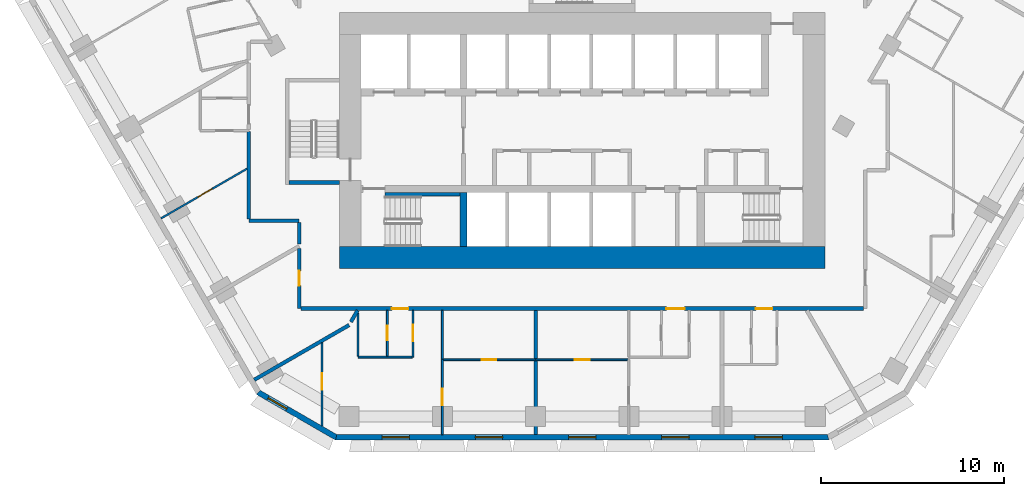
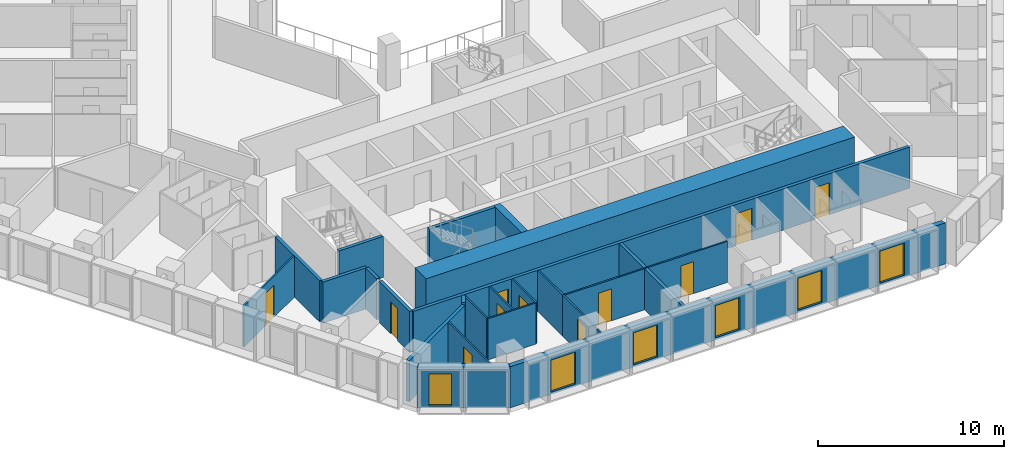
# One storey, part 3 of 16: 24 walls, 11 doors, 6 windows, 17 openings.
"""IFC4 building model written with IfcOpenShell, lengths in metres."""

import ifcopenshell
import ifcopenshell.guid

model = None  # the IFC model being written
_history = None  # IfcOwnerHistory: only IFC2X3 demands one
_inside = {}  # id of a spatial element -> (the spatial element, [elements in it])
_under = {}  # id of a project, library or spatial element -> (it, [spatial elements below it])
_declared = {}  # id of a project -> (the project, [libraries it declares])
_typed = {}  # id of a type object -> (the type object, [elements of that type])
_made_of = {}  # id of a material, layer set ... -> (it, [elements and type objects made of it])


def new_model(schema):
    """Start an empty IFC model of exactly this schema.

    Asked for "IFC4X3", IfcOpenShell would pick the latest addendum, in which some entities
    have other attributes; the version numbers below select the first issue.
    IFC2X3 requires an IfcOwnerHistory on every rooted entity: one is made here for all.
    """
    global model, _history
    if schema == "IFC4X3":
        model = ifcopenshell.file(schema_version=(4, 3, 0, 0))
    else:
        model = ifcopenshell.file(schema=schema)
    _inside.clear()
    _under.clear()
    _declared.clear()
    _typed.clear()
    _made_of.clear()
    _history = None
    if model.schema == "IFC2X3":
        org = make("IfcOrganization", Name="unknown")
        user = make(
            "IfcPersonAndOrganization",
            ThePerson=make("IfcPerson", FamilyName="unknown"),
            TheOrganization=org,
        )
        app = make(
            "IfcApplication",
            ApplicationDeveloper=org,
            Version="unknown",
            ApplicationFullName="unknown",
            ApplicationIdentifier="unknown",
        )
        _history = make(
            "IfcOwnerHistory",
            OwningUser=user,
            OwningApplication=app,
            ChangeAction="ADDED",
            CreationDate=0,
        )
    return model


def make(cls, **values):
    """One entity of the class cls with the attributes given. An attribute that is None is left unset."""
    return model.create_entity(
        cls, **{name: value for name, value in values.items() if value is not None}
    )


def rooted(cls, **values):
    """An entity with a GlobalId (a new one), such as an element, a storey or a relation."""
    return make(cls, GlobalId=ifcopenshell.guid.new(), OwnerHistory=_history, **values)


def si_unit(unit_type, name, prefix=None):
    """IfcSIUnit, for example si_unit("LENGTHUNIT", "METRE", prefix="MILLI")."""
    return make("IfcSIUnit", UnitType=unit_type, Prefix=prefix, Name=name)


def assignment(units):
    """IfcUnitAssignment: the units of a project."""
    return None if units is None else make("IfcUnitAssignment", Units=units)


def point(xyz):
    """IfcCartesianPoint."""
    return None if xyz is None else make("IfcCartesianPoint", Coordinates=xyz)


def direction(xyz):
    """IfcDirection."""
    return None if xyz is None else make("IfcDirection", DirectionRatios=xyz)


def frame(location, z_axis=None, x_axis=None):
    """IfcAxis2Placement3D, a coordinate frame: its origin and axes. An axis left out is left unset."""
    return make(
        "IfcAxis2Placement3D",
        Location=point(location),
        Axis=direction(z_axis),
        RefDirection=direction(x_axis),
    )


def frame_2d(location, x_axis=None):
    """IfcAxis2Placement2D, a coordinate frame in the plane: its origin and x axis."""
    return make(
        "IfcAxis2Placement2D", Location=point(location), RefDirection=direction(x_axis)
    )


def origin():
    """The frame at (0, 0, 0) with its axes left unset."""
    return frame((0.0, 0.0, 0.0))


def place(relative_to, where):
    """IfcLocalPlacement: puts the frame where relative to a parent placement (None: the world)."""
    return make(
        "IfcLocalPlacement", PlacementRelTo=relative_to, RelativePlacement=where
    )


def context(
    kind, dimensions, precision=None, world=None, true_north=None, identifier=None
):
    """IfcGeometricRepresentationContext, for example the 3D "Model" context."""
    return make(
        "IfcGeometricRepresentationContext",
        ContextIdentifier=identifier,
        ContextType=kind,
        CoordinateSpaceDimension=dimensions,
        Precision=precision,
        WorldCoordinateSystem=world,
        TrueNorth=true_north,
    )


def subcontext(parent, identifier, kind, view, scale=None):
    """IfcGeometricRepresentationSubContext, for example "Body" below "Model"."""
    return make(
        "IfcGeometricRepresentationSubContext",
        ContextIdentifier=identifier,
        ContextType=kind,
        ParentContext=parent,
        TargetScale=scale,
        TargetView=view,
    )


def project(units=None, contexts=None):
    """IfcProject with its units and contexts."""
    return rooted(
        "IfcProject",
        Name="project",
        RepresentationContexts=contexts,
        UnitsInContext=assignment(units),
    )


def spatial(cls, under=None, at=None, **own):
    """A site, building, storey or space (cls), placed at a placement, below another one or the project."""
    s = rooted(cls, ObjectPlacement=at, **own)
    if under is not None:
        _under.setdefault(under.id(), (under, []))[1].append(s)
    return s


def polyline(points):
    """IfcPolyline through the points."""
    return make("IfcPolyline", Points=[point(p) for p in points])


def profile(cls, at=None, kind="AREA", **sizes):
    """A parametric profile (cls). Its sizes go by their IFC names, for example OverallWidth=200.0."""
    return make(cls, ProfileType=kind, Position=at, **sizes)


def rectangle(**sizes):
    """IfcRectangleProfileDef."""
    return profile("IfcRectangleProfileDef", **sizes)


def outline(outer, holes=None, kind="AREA"):
    """IfcArbitraryClosedProfileDef: a profile drawn as a closed curve; with holes, ...WithVoids."""
    if holes is None:
        return make("IfcArbitraryClosedProfileDef", ProfileType=kind, OuterCurve=outer)
    return make(
        "IfcArbitraryProfileDefWithVoids",
        ProfileType=kind,
        OuterCurve=outer,
        InnerCurves=holes,
    )


def extrude(swept, where, along, depth):
    """IfcExtrudedAreaSolid: the profile swept, set in the frame where, extruded along a direction by depth."""
    return make(
        "IfcExtrudedAreaSolid",
        SweptArea=swept,
        Position=where,
        ExtrudedDirection=direction(along),
        Depth=depth,
    )


def shape(context_of_items, identifier, shape_type, items):
    """IfcShapeRepresentation: the items that make up one representation, for example the "Body"."""
    return make(
        "IfcShapeRepresentation",
        ContextOfItems=context_of_items,
        RepresentationIdentifier=identifier,
        RepresentationType=shape_type,
        Items=items,
    )


def material(Name=None, Category=None):
    """IfcMaterial."""
    return make("IfcMaterial", Name=Name, Category=Category)


def layer(
    of_material, thickness, ventilated=None, Name=None, Category=None, Priority=None
):
    """IfcMaterialLayer: one layer of a wall or slab, of a material (None: an air gap)."""
    return make(
        "IfcMaterialLayer",
        Material=of_material,
        LayerThickness=thickness,
        IsVentilated=ventilated,
        Name=Name,
        Category=Category,
        Priority=Priority,
    )


def layer_set(layers, Name=None):
    """IfcMaterialLayerSet."""
    return make("IfcMaterialLayerSet", MaterialLayers=layers, LayerSetName=Name)


def made_of(thing, what):
    """Note that an element or type object is made of a material, layer set ...; save() writes the relation."""
    if what is not None:
        _made_of.setdefault(what.id(), (what, []))[1].append(thing)
    return thing


def type_object(cls, material=None, **own):
    """A type object (cls), such as IfcWallType, which elements share."""
    return made_of(rooted(cls, **own), material)


def element(
    cls,
    number,
    at=None,
    inside=None,
    cuts=None,
    type_object=None,
    material=None,
    context=None,
    identifier="Body",
    shape_type=None,
    held_by="IfcProductDefinitionShape",
    body=None,
    shapes=None,
    **own,
):
    """One element of the class cls, such as IfcWall. Its Tag is "e" and its number.

    at: its placement. inside: the storey or other place that contains it. cuts: it is an
    opening in that element (IfcRelVoidsElement). A single representation is given by context,
    identifier, shape_type and body (its items); several are given by shapes. held_by: the class
    of the entity that holds the representations. save() writes the other relations.
    """
    e = rooted(cls, Tag="e%d" % number, ObjectPlacement=at, **own)
    if body is not None:
        shapes = [shape(context, identifier, shape_type, body)]
    if shapes is not None:
        e.Representation = make(held_by, Representations=shapes)
    if inside is not None:
        _inside.setdefault(inside.id(), (inside, []))[1].append(e)
    if cuts is not None:
        rooted(
            "IfcRelVoidsElement", RelatingBuildingElement=cuts, RelatedOpeningElement=e
        )
    if type_object is not None:
        _typed.setdefault(type_object.id(), (type_object, []))[1].append(e)
    return made_of(e, material)


def fill(opening, filler):
    """IfcRelFillsElement: the door or window that sits in an opening."""
    return rooted(
        "IfcRelFillsElement",
        RelatingOpeningElement=opening,
        RelatedBuildingElement=filler,
    )


def aggregate(whole, parts):
    """IfcRelAggregates: a whole, such as a stair, and the parts it consists of."""
    return rooted("IfcRelAggregates", RelatingObject=whole, RelatedObjects=parts)


def save(model, path):
    """Write the relations noted so far, then the file.

    IfcRelAggregates (storeys below a building ...), IfcRelContainedInSpatialStructure (elements
    in a storey), IfcRelDefinesByType, IfcRelAssociatesMaterial and IfcRelDeclares: one each for
    every whole, place, type object, material and project.
    """
    for whole, parts in _under.values():
        aggregate(whole, parts)
    for where, things in _inside.values():
        rooted(
            "IfcRelContainedInSpatialStructure",
            RelatedElements=things,
            RelatingStructure=where,
        )
    for kind, things in _typed.values():
        rooted("IfcRelDefinesByType", RelatedObjects=things, RelatingType=kind)
    for what, things in _made_of.values():
        rooted("IfcRelAssociatesMaterial", RelatedObjects=things, RelatingMaterial=what)
    for by, libraries in _declared.values():
        rooted("IfcRelDeclares", RelatingContext=by, RelatedDefinitions=libraries)
    model.write(path)


model = new_model("IFC4")

# Units and contexts
model_context = context("Model", 3, precision=1e-05, world=origin(), true_north=direction((0.0, 1.0)))
body_context = subcontext(model_context, "Body", "Model", "MODEL_VIEW")
ifc_project = project(units=[si_unit("LENGTHUNIT", "METRE"), si_unit("AREAUNIT", "SQUARE_METRE"), si_unit("VOLUMEUNIT", "CUBIC_METRE"), si_unit("PLANEANGLEUNIT", "RADIAN"), si_unit("MASSUNIT", "GRAM", prefix="KILO")], contexts=[model_context])

# Site, building, storey
site_placement = place(None, origin())
site = spatial("IfcSite", under=ifc_project, at=site_placement, CompositionType="ELEMENT")
building_placement = place(site_placement, origin())
building = spatial("IfcBuilding", under=site, at=building_placement, Name="Beryl Residences", CompositionType="ELEMENT")
storey_placement = place(building_placement, frame((0.0, 0.0, 56.39990234375)))
storey = spatial("IfcBuildingStorey", under=building, at=storey_placement, Name="L17", CompositionType="ELEMENT", Elevation=56.39990234375)

# Wall, opening, window
ifc_material_1 = material(Name="Composite metal panel with mineral wool insulation")
ifc_layer_1 = layer(ifc_material_1, 0.300048828125)
ifc_layer_set_1 = layer_set([ifc_layer_1], Name="ES1 pale metal composite panel wall 300 mm")
wall_type_1 = type_object("IfcWallType", Name="ES1 pale metal composite panel wall 300 mm", PredefinedType="SOLIDWALL", material=ifc_layer_set_1)
wall_1_placement = place(storey_placement, frame((-17.764892578125, -25.77001953125, 0.0), z_axis=(0.0, 0.0, 1.0), x_axis=(0.866010750942, -0.50002537861, 0.0)))
wall_1 = element("IfcWall", 1, at=wall_1_placement, inside=storey, type_object=wall_type_1, Name="ES1 external wall L17 SW-S", PredefinedType="SOLIDWALL", context=body_context, shape_type="SweptSolid", body=[
    extrude(outline(polyline([(0.0, -0.14990234375), (4.999755859375, -0.14990234375), (4.91943359375, 0.14990234375), (0.080322265625, 0.14990234375), (0.0, -0.14990234375)])), origin(), (0.0, 0.0, 1.0), 2.7001953125),
])
opening_1_placement = place(wall_1_placement, frame((0.64990234375, 0.0, 0.14990234375)))
opening_1 = element("IfcOpeningElement", 2, at=opening_1_placement, cuts=wall_1, Name="Opening W2", PredefinedType="OPENING", context=body_context, shape_type="SweptSolid", body=[
    extrude(rectangle(XDim=1.199951171875, YDim=2.10009765625, at=frame_2d((0.60009765625, 1.050048828125))), frame((0.0, 0.159912109375, 0.0), z_axis=(0.0, -1.0, 0.0), x_axis=(1.0, 0.0, 0.0)), (0.0, 0.0, 1.0), 0.320068359375),
])
ifc_material_2 = material(Name="Aluminium and clear glass", Category="aluminium")
window_type_1 = type_object("IfcWindowType", Name="W2 chamfer window 1200 x 2100 mm", PartitioningType="SINGLE_PANEL", PredefinedType="WINDOW", material=ifc_material_2)
window_1_placement = place(opening_1_placement, origin())
window_1 = element("IfcWindow", 3, at=window_1_placement, inside=storey, type_object=window_type_1, Name="W2 window L17 SW-S 1", OverallHeight=2.10009765625, OverallWidth=1.199951171875, PartitioningType="SINGLE_PANEL", PredefinedType="WINDOW", context=body_context, shape_type="SweptSolid", body=[
    extrude(rectangle(XDim=1.199951171875, YDim=2.10009765625, at=frame_2d((0.60009765625, 1.050048828125))), frame((0.0, 0.030029296875, 0.0), z_axis=(0.0, -1.0, 0.0), x_axis=(1.0, 0.0, 0.0)), (0.0, 0.0, 1.0), 0.06005859375),
])
fill(opening_1, window_1)

# Wall, openings, windows
wall_2_placement = place(storey_placement, frame((-13.510009765625, -28.25, 0.0), z_axis=(0.0, 0.0, 1.0), x_axis=(1.0, 0.0, 0.0)))
wall_2 = element("IfcWall", 4, at=wall_2_placement, inside=storey, type_object=wall_type_1, Name="ES1 external wall L17 S", PredefinedType="SOLIDWALL", context=body_context, shape_type="SweptSolid", body=[
    extrude(outline(polyline([(0.0, -0.14990234375), (27.02001953125, -0.14990234375), (26.939697265625, 0.14990234375), (0.080322265625, 0.14990234375), (0.0, -0.14990234375)])), origin(), (0.0, 0.0, 1.0), 2.7001953125),
])
opening_2_placement = place(wall_2_placement, frame((2.552978515625, 0.0, 0.14990234375)))
opening_2 = element("IfcOpeningElement", 5, at=opening_2_placement, cuts=wall_2, Name="Opening W1", PredefinedType="OPENING", context=body_context, shape_type="SweptSolid", body=[
    extrude(rectangle(XDim=1.5, YDim=2.10009765625, at=frame_2d((0.75, 1.050048828125))), frame((0.0, 0.159912109375, 0.0), z_axis=(0.0, -1.0, 0.0), x_axis=(1.0, 0.0, 0.0)), (0.0, 0.0, 1.0), 0.320068359375),
])
opening_3_placement = place(wall_2_placement, frame((7.656982421875, 0.0, 0.14990234375)))
opening_3 = element("IfcOpeningElement", 6, at=opening_3_placement, cuts=wall_2, Name="Opening W1", PredefinedType="OPENING", context=body_context, shape_type="SweptSolid", body=[
    extrude(rectangle(XDim=1.5, YDim=2.10009765625, at=frame_2d((0.75, 1.050048828125))), frame((0.0, 0.159912109375, 0.0), z_axis=(0.0, -1.0, 0.0), x_axis=(1.0, 0.0, 0.0)), (0.0, 0.0, 1.0), 0.320068359375),
])
opening_4_placement = place(wall_2_placement, frame((12.760986328125, 0.0, 0.14990234375)))
opening_4 = element("IfcOpeningElement", 7, at=opening_4_placement, cuts=wall_2, Name="Opening W1", PredefinedType="OPENING", context=body_context, shape_type="SweptSolid", body=[
    extrude(rectangle(XDim=1.5, YDim=2.10009765625, at=frame_2d((0.75, 1.050048828125))), frame((0.0, 0.159912109375, 0.0), z_axis=(0.0, -1.0, 0.0), x_axis=(1.0, 0.0, 0.0)), (0.0, 0.0, 1.0), 0.320068359375),
])
opening_5_placement = place(wall_2_placement, frame((17.864990234375, 0.0, 0.14990234375)))
opening_5 = element("IfcOpeningElement", 8, at=opening_5_placement, cuts=wall_2, Name="Opening W1", PredefinedType="OPENING", context=body_context, shape_type="SweptSolid", body=[
    extrude(rectangle(XDim=1.5, YDim=2.10009765625, at=frame_2d((0.75, 1.050048828125))), frame((0.0, 0.159912109375, 0.0), z_axis=(0.0, -1.0, 0.0), x_axis=(1.0, 0.0, 0.0)), (0.0, 0.0, 1.0), 0.320068359375),
])
opening_6_placement = place(wall_2_placement, frame((22.968994140625, 0.0, 0.14990234375)))
opening_6 = element("IfcOpeningElement", 9, at=opening_6_placement, cuts=wall_2, Name="Opening W1", PredefinedType="OPENING", context=body_context, shape_type="SweptSolid", body=[
    extrude(rectangle(XDim=1.5, YDim=2.10009765625, at=frame_2d((0.75, 1.050048828125))), frame((0.0, 0.159912109375, 0.0), z_axis=(0.0, -1.0, 0.0), x_axis=(1.0, 0.0, 0.0)), (0.0, 0.0, 1.0), 0.320068359375),
])
ifc_material_3 = material(Name="Aluminium and clear glass", Category="aluminium")
window_type_2 = type_object("IfcWindowType", Name="W1 cell window 1500 x 2100 mm", PartitioningType="SINGLE_PANEL", PredefinedType="WINDOW", material=ifc_material_3)
window_2_placement = place(opening_2_placement, origin())
window_2 = element("IfcWindow", 10, at=window_2_placement, inside=storey, type_object=window_type_2, Name="W1 window L17 S 2", OverallHeight=2.10009765625, OverallWidth=1.5, PartitioningType="SINGLE_PANEL", PredefinedType="WINDOW", context=body_context, shape_type="SweptSolid", body=[
    extrude(rectangle(XDim=1.5, YDim=2.10009765625, at=frame_2d((0.75, 1.050048828125))), frame((0.0, 0.030029296875, 0.0), z_axis=(0.0, -1.0, 0.0), x_axis=(1.0, 0.0, 0.0)), (0.0, 0.0, 1.0), 0.06005859375),
])
fill(opening_2, window_2)
window_3_placement = place(opening_3_placement, origin())
window_3 = element("IfcWindow", 11, at=window_3_placement, inside=storey, type_object=window_type_2, Name="W1 window L17 S 4", OverallHeight=2.10009765625, OverallWidth=1.5, PartitioningType="SINGLE_PANEL", PredefinedType="WINDOW", context=body_context, shape_type="SweptSolid", body=[
    extrude(rectangle(XDim=1.5, YDim=2.10009765625, at=frame_2d((0.75, 1.050048828125))), frame((0.0, 0.030029296875, 0.0), z_axis=(0.0, -1.0, 0.0), x_axis=(1.0, 0.0, 0.0)), (0.0, 0.0, 1.0), 0.06005859375),
])
fill(opening_3, window_3)
window_4_placement = place(opening_4_placement, origin())
window_4 = element("IfcWindow", 12, at=window_4_placement, inside=storey, type_object=window_type_2, Name="W1 window L17 S 6", OverallHeight=2.10009765625, OverallWidth=1.5, PartitioningType="SINGLE_PANEL", PredefinedType="WINDOW", context=body_context, shape_type="SweptSolid", body=[
    extrude(rectangle(XDim=1.5, YDim=2.10009765625, at=frame_2d((0.75, 1.050048828125))), frame((0.0, 0.030029296875, 0.0), z_axis=(0.0, -1.0, 0.0), x_axis=(1.0, 0.0, 0.0)), (0.0, 0.0, 1.0), 0.06005859375),
])
fill(opening_4, window_4)
window_5_placement = place(opening_5_placement, origin())
window_5 = element("IfcWindow", 13, at=window_5_placement, inside=storey, type_object=window_type_2, Name="W1 window L17 S 8", OverallHeight=2.10009765625, OverallWidth=1.5, PartitioningType="SINGLE_PANEL", PredefinedType="WINDOW", context=body_context, shape_type="SweptSolid", body=[
    extrude(rectangle(XDim=1.5, YDim=2.10009765625, at=frame_2d((0.75, 1.050048828125))), frame((0.0, 0.030029296875, 0.0), z_axis=(0.0, -1.0, 0.0), x_axis=(1.0, 0.0, 0.0)), (0.0, 0.0, 1.0), 0.06005859375),
])
fill(opening_5, window_5)
window_6_placement = place(opening_6_placement, origin())
window_6 = element("IfcWindow", 14, at=window_6_placement, inside=storey, type_object=window_type_2, Name="W1 window L17 S 10", OverallHeight=2.10009765625, OverallWidth=1.5, PartitioningType="SINGLE_PANEL", PredefinedType="WINDOW", context=body_context, shape_type="SweptSolid", body=[
    extrude(rectangle(XDim=1.5, YDim=2.10009765625, at=frame_2d((0.75, 1.050048828125))), frame((0.0, 0.030029296875, 0.0), z_axis=(0.0, -1.0, 0.0), x_axis=(1.0, 0.0, 0.0)), (0.0, 0.0, 1.0), 0.06005859375),
])
fill(opening_6, window_6)

# Walls
ifc_material_4 = material(Name="Gypsum board partition on steel studs", Category="steel")
ifc_layer_2 = layer(ifc_material_4, 0.10009765625)
ifc_layer_set_2 = layer_set([ifc_layer_2], Name="PT1 partition 100 mm gypsum board on steel studs")
wall_type_2 = type_object("IfcWallType", Name="PT1 partition 100 mm gypsum board on steel studs", PredefinedType="PARTITIONING", material=ifc_layer_set_2)
wall_3_placement = place(storey_placement, frame((-7.655029296875, -21.300048828125, 0.0), z_axis=(0.0, 0.0, 1.0), x_axis=(0.0, -1.0, 0.0)))
element("IfcWall", 15, at=wall_3_placement, inside=storey, type_object=wall_type_2, Name="Wall PT1 L17 007", PredefinedType="PARTITIONING", context=body_context, shape_type="SweptSolid", body=[
    extrude(rectangle(XDim=2.669921875, YDim=0.10009765625, at=frame_2d((1.3349609375, 0.0))), origin(), (0.0, 0.0, 1.0), 2.7001953125),
])
wall_4_placement = place(storey_placement, frame((-12.27490234375, -21.4599609375, 0.0), z_axis=(0.0, 0.0, 1.0), x_axis=(0.0, -1.0, 0.0)))
element("IfcWall", 16, at=wall_4_placement, inside=storey, type_object=wall_type_2, Name="Wall PT1 L17 008", PredefinedType="PARTITIONING", context=body_context, shape_type="SweptSolid", body=[
    extrude(rectangle(XDim=2.34912109375, YDim=0.10009765625, at=frame_2d((1.174560546875, 0.0))), origin(), (0.0, 0.0, 1.0), 2.7001953125),
])
wall_5_placement = place(storey_placement, frame((-12.27392578125, -23.860107421875, 0.0), z_axis=(0.0, 0.0, 1.0), x_axis=(1.0, 0.0, 0.0)))
element("IfcWall", 17, at=wall_5_placement, inside=storey, type_object=wall_type_2, Name="Wall PT1 L17 028", PredefinedType="PARTITIONING", context=body_context, shape_type="SweptSolid", body=[
    extrude(rectangle(XDim=2.9580078125, YDim=0.10009765625, at=frame_2d((1.47900390625, 0.0))), origin(), (0.0, 0.0, 1.0), 2.7001953125),
])

# Wall, opening, door
wall_6_placement = place(storey_placement, frame((-7.60498046875, -24.0, 0.0), z_axis=(0.0, 0.0, 1.0), x_axis=(1.0, 0.0, 0.0)))
wall_6 = element("IfcWall", 18, at=wall_6_placement, inside=storey, type_object=wall_type_2, Name="Wall PT1 L17 030", PredefinedType="PARTITIONING", context=body_context, shape_type="SweptSolid", body=[
    extrude(rectangle(XDim=5.053955078125, YDim=0.10009765625, at=frame_2d((2.52685546875, 0.0))), origin(), (0.0, 0.0, 1.0), 2.7001953125),
])
opening_7_placement = place(wall_6_placement, frame((2.10205078125, 0.0, 0.0)))
opening_7 = element("IfcOpeningElement", 19, at=opening_7_placement, cuts=wall_6, Name="Opening D0526", PredefinedType="OPENING", context=body_context, shape_type="SweptSolid", body=[
    extrude(rectangle(XDim=0.800048828125, YDim=2.10009765625, at=frame_2d((0.39990234375, 1.050048828125))), frame((0.0, 0.06005859375, 0.0), z_axis=(0.0, -1.0, 0.0), x_axis=(1.0, 0.0, 0.0)), (0.0, 0.0, 1.0), 0.1201171875),
])
ifc_material_5 = material(Name="Timber door leaf", Category="wood")
door_type_1 = type_object("IfcDoorType", Name="D3 bathroom door 800 x 2100 mm", OperationType="SINGLE_SWING_LEFT", PredefinedType="DOOR", material=ifc_material_5)
door_1_placement = place(opening_7_placement, origin())
door_1 = element("IfcDoor", 20, at=door_1_placement, inside=storey, type_object=door_type_1, Name="Door D0526 L17 001", OperationType="SINGLE_SWING_RIGHT", OverallHeight=2.10009765625, OverallWidth=0.800048828125, PredefinedType="DOOR", context=body_context, shape_type="SweptSolid", body=[
    extrude(rectangle(XDim=0.800048828125, YDim=2.10009765625, at=frame_2d((0.39990234375, 1.050048828125))), frame((0.0, 0.02490234375, 0.0), z_axis=(0.0, -1.0, 0.0), x_axis=(1.0, 0.0, 0.0)), (0.0, 0.0, 1.0), 0.050048828125),
])
fill(opening_7, door_1)

wall_7_placement = place(storey_placement, frame((-7.655029296875, -28.10009765625, 0.0), z_axis=(0.0, 0.0, 1.0), x_axis=(0.0, 1.0, 0.0)))
wall_7 = element("IfcWall", 21, at=wall_7_placement, inside=storey, type_object=wall_type_2, Name="Wall PT1 L17 052", PredefinedType="PARTITIONING", context=body_context, shape_type="SweptSolid", body=[
    extrude(rectangle(XDim=4.1201171875, YDim=0.10009765625, at=frame_2d((2.06005859375, 0.0))), origin(), (0.0, 0.0, 1.0), 2.7001953125),
])
opening_8_placement = place(wall_7_placement, frame((1.610107421875, 0.0, 0.0)))
opening_8 = element("IfcOpeningElement", 22, at=opening_8_placement, cuts=wall_7, Name="Opening D0525", PredefinedType="OPENING", context=body_context, shape_type="SweptSolid", body=[
    extrude(rectangle(XDim=0.89990234375, YDim=2.10009765625, at=frame_2d((0.449951171875, 1.050048828125))), frame((0.0, 0.06005859375, 0.0), z_axis=(0.0, -1.0, 0.0), x_axis=(1.0, 0.0, 0.0)), (0.0, 0.0, 1.0), 0.1201171875),
])
ifc_material_6 = material(Name="Timber door leaf", Category="wood")
door_type_2 = type_object("IfcDoorType", Name="D2 room door 900 x 2100 mm", OperationType="SINGLE_SWING_LEFT", PredefinedType="DOOR", material=ifc_material_6)
door_2_placement = place(opening_8_placement, origin())
door_2 = element("IfcDoor", 23, at=door_2_placement, inside=storey, type_object=door_type_2, Name="Door D0525 L17 001", OperationType="SINGLE_SWING_LEFT", OverallHeight=2.10009765625, OverallWidth=0.89990234375, PredefinedType="DOOR", context=body_context, shape_type="SweptSolid", body=[
    extrude(rectangle(XDim=0.89990234375, YDim=2.10009765625, at=frame_2d((0.449951171875, 1.050048828125))), frame((0.0, 0.02490234375, 0.0), z_axis=(0.0, -1.0, 0.0), x_axis=(1.0, 0.0, 0.0)), (0.0, 0.0, 1.0), 0.050048828125),
])
fill(opening_8, door_2)

wall_8_placement = place(storey_placement, frame((-9.264892578125, -23.85888671875, 0.0), z_axis=(0.0, 0.0, 1.0), x_axis=(0.0, 1.0, 0.0)))
wall_8 = element("IfcWall", 24, at=wall_8_placement, inside=storey, type_object=wall_type_2, Name="Wall PT1 L17 054", PredefinedType="PARTITIONING", context=body_context, shape_type="SweptSolid", body=[
    extrude(rectangle(XDim=2.558837890625, YDim=0.10009765625, at=frame_2d((1.279296875, 0.0))), origin(), (0.0, 0.0, 1.0), 2.7001953125),
])
opening_9_placement = place(wall_8_placement, frame((0.87890625, 0.0, 0.0)))
opening_9 = element("IfcOpeningElement", 25, at=opening_9_placement, cuts=wall_8, Name="Opening D0522", PredefinedType="OPENING", context=body_context, shape_type="SweptSolid", body=[
    extrude(rectangle(XDim=0.89990234375, YDim=2.10009765625, at=frame_2d((0.449951171875, 1.050048828125))), frame((0.0, 0.06005859375, 0.0), z_axis=(0.0, -1.0, 0.0), x_axis=(1.0, 0.0, 0.0)), (0.0, 0.0, 1.0), 0.1201171875),
])
door_3_placement = place(opening_9_placement, origin())
door_3 = element("IfcDoor", 26, at=door_3_placement, inside=storey, type_object=door_type_2, Name="Door D0522 L17 001", OperationType="SINGLE_SWING_RIGHT", OverallHeight=2.10009765625, OverallWidth=0.89990234375, PredefinedType="DOOR", context=body_context, shape_type="SweptSolid", body=[
    extrude(rectangle(XDim=0.89990234375, YDim=2.10009765625, at=frame_2d((0.449951171875, 1.050048828125))), frame((0.0, 0.02490234375, 0.0), z_axis=(0.0, -1.0, 0.0), x_axis=(1.0, 0.0, 0.0)), (0.0, 0.0, 1.0), 0.050048828125),
])
fill(opening_9, door_3)

wall_9_placement = place(storey_placement, frame((-10.6650390625, -23.81005859375, 0.0), z_axis=(0.0, 0.0, 1.0), x_axis=(0.0, 1.0, 0.0)))
wall_9 = element("IfcWall", 27, at=wall_9_placement, inside=storey, type_object=wall_type_2, Name="Wall PT1 L17 055", PredefinedType="PARTITIONING", context=body_context, shape_type="SweptSolid", body=[
    extrude(rectangle(XDim=2.510009765625, YDim=0.10009765625, at=frame_2d((1.2548828125, 0.0))), origin(), (0.0, 0.0, 1.0), 2.7001953125),
])
opening_10_placement = place(wall_9_placement, frame((0.8798828125, 0.0, 0.0)))
opening_10 = element("IfcOpeningElement", 28, at=opening_10_placement, cuts=wall_9, Name="Opening D0523", PredefinedType="OPENING", context=body_context, shape_type="SweptSolid", body=[
    extrude(rectangle(XDim=0.800048828125, YDim=2.10009765625, at=frame_2d((0.39990234375, 1.050048828125))), frame((0.0, 0.06005859375, 0.0), z_axis=(0.0, -1.0, 0.0), x_axis=(1.0, 0.0, 0.0)), (0.0, 0.0, 1.0), 0.1201171875),
])
door_4_placement = place(opening_10_placement, origin())
door_4 = element("IfcDoor", 29, at=door_4_placement, inside=storey, type_object=door_type_1, Name="Door D0523 L17 001", OperationType="SINGLE_SWING_LEFT", OverallHeight=2.10009765625, OverallWidth=0.800048828125, PredefinedType="DOOR", context=body_context, shape_type="SweptSolid", body=[
    extrude(rectangle(XDim=0.800048828125, YDim=2.10009765625, at=frame_2d((0.39990234375, 1.050048828125))), frame((0.0, 0.02490234375, 0.0), z_axis=(0.0, -1.0, 0.0), x_axis=(1.0, 0.0, 0.0)), (0.0, 0.0, 1.0), 0.050048828125),
])
fill(opening_10, door_4)

wall_10_placement = place(storey_placement, frame((-14.2470703125, -27.6279296875, 0.0), z_axis=(0.0, 0.0, 1.0), x_axis=(0.0, 1.0, 0.0)))
wall_10 = element("IfcWall", 30, at=wall_10_placement, inside=storey, type_object=wall_type_2, Name="Wall PT1 L17 056", PredefinedType="PARTITIONING", context=body_context, shape_type="SweptSolid", body=[
    extrude(rectangle(XDim=4.552001953125, YDim=0.10009765625, at=frame_2d((2.27587890625, 0.0))), origin(), (0.0, 0.0, 1.0), 2.7001953125),
])
opening_11_placement = place(wall_10_placement, frame((1.98388671875, 0.0, 0.0)))
opening_11 = element("IfcOpeningElement", 31, at=opening_11_placement, cuts=wall_10, Name="Opening D0524", PredefinedType="OPENING", context=body_context, shape_type="SweptSolid", body=[
    extrude(rectangle(XDim=0.89990234375, YDim=2.10009765625, at=frame_2d((0.449951171875, 1.050048828125))), frame((0.0, 0.06005859375, 0.0), z_axis=(0.0, -1.0, 0.0), x_axis=(1.0, 0.0, 0.0)), (0.0, 0.0, 1.0), 0.1201171875),
])
door_5_placement = place(opening_11_placement, origin())
door_5 = element("IfcDoor", 32, at=door_5_placement, inside=storey, type_object=door_type_2, Name="Door D0524 L17 001", OperationType="SINGLE_SWING_RIGHT", OverallHeight=2.10009765625, OverallWidth=0.89990234375, PredefinedType="DOOR", context=body_context, shape_type="SweptSolid", body=[
    extrude(rectangle(XDim=0.89990234375, YDim=2.10009765625, at=frame_2d((0.449951171875, 1.050048828125))), frame((0.0, 0.02490234375, 0.0), z_axis=(0.0, -1.0, 0.0), x_axis=(1.0, 0.0, 0.0)), (0.0, 0.0, 1.0), 0.050048828125),
])
fill(opening_11, door_5)

wall_11_placement = place(storey_placement, frame((-23.05908203125, -16.260986328125, 0.0), z_axis=(0.0, 0.0, 1.0), x_axis=(0.866004639177, 0.500035963631, 0.0)))
wall_11 = element("IfcWall", 33, at=wall_11_placement, inside=storey, type_object=wall_type_2, Name="Wall PT1 L17 062", PredefinedType="PARTITIONING", context=body_context, shape_type="SweptSolid", body=[
    extrude(rectangle(XDim=5.4375, YDim=0.10009765625, at=frame_2d((2.71875, 0.0))), origin(), (0.0, 0.0, 1.0), 2.7001953125),
])
opening_12_placement = place(wall_11_placement, frame((2.325927734375, 0.0, 0.0)))
opening_12 = element("IfcOpeningElement", 34, at=opening_12_placement, cuts=wall_11, Name="Opening D0519", PredefinedType="OPENING", context=body_context, shape_type="SweptSolid", body=[
    extrude(rectangle(XDim=0.89990234375, YDim=2.10009765625, at=frame_2d((0.449951171875, 1.050048828125))), frame((0.0, 0.06005859375, 0.0), z_axis=(0.0, -1.0, 0.0), x_axis=(1.0, 0.0, 0.0)), (0.0, 0.0, 1.0), 0.1201171875),
])
door_6_placement = place(opening_12_placement, origin())
door_6 = element("IfcDoor", 35, at=door_6_placement, inside=storey, type_object=door_type_2, Name="Door D0519 L17 001", OperationType="SINGLE_SWING_LEFT", OverallHeight=2.10009765625, OverallWidth=0.89990234375, PredefinedType="DOOR", context=body_context, shape_type="SweptSolid", body=[
    extrude(rectangle(XDim=0.89990234375, YDim=2.10009765625, at=frame_2d((0.449951171875, 1.050048828125))), frame((0.0, 0.02490234375, 0.0), z_axis=(0.0, -1.0, 0.0), x_axis=(1.0, 0.0, 0.0)), (0.0, 0.0, 1.0), 0.050048828125),
])
fill(opening_12, door_6)

wall_12_placement = place(storey_placement, frame((-2.551025390625, -24.0, 0.0), z_axis=(0.0, 0.0, 1.0), x_axis=(1.0, 0.0, 0.0)))
wall_12 = element("IfcWall", 36, at=wall_12_placement, inside=storey, type_object=wall_type_2, Name="Wall PT1 L17 074", PredefinedType="PARTITIONING", context=body_context, shape_type="SweptSolid", body=[
    extrude(rectangle(XDim=5.053955078125, YDim=0.10009765625, at=frame_2d((2.52685546875, 0.0))), origin(), (0.0, 0.0, 1.0), 2.7001953125),
])
opening_13_placement = place(wall_12_placement, frame((2.152099609375, 0.0, 0.0)))
opening_13 = element("IfcOpeningElement", 37, at=opening_13_placement, cuts=wall_12, Name="Opening D0531", PredefinedType="OPENING", context=body_context, shape_type="SweptSolid", body=[
    extrude(rectangle(XDim=0.800048828125, YDim=2.10009765625, at=frame_2d((0.39990234375, 1.050048828125))), frame((0.0, 0.06005859375, 0.0), z_axis=(0.0, -1.0, 0.0), x_axis=(1.0, 0.0, 0.0)), (0.0, 0.0, 1.0), 0.1201171875),
])
door_7_placement = place(opening_13_placement, origin())
door_7 = element("IfcDoor", 38, at=door_7_placement, inside=storey, type_object=door_type_1, Name="Door D0531 L17 001", OperationType="SINGLE_SWING_LEFT", OverallHeight=2.10009765625, OverallWidth=0.800048828125, PredefinedType="DOOR", context=body_context, shape_type="SweptSolid", body=[
    extrude(rectangle(XDim=0.800048828125, YDim=2.10009765625, at=frame_2d((0.39990234375, 1.050048828125))), frame((0.0, 0.02490234375, 0.0), z_axis=(0.0, -1.0, 0.0), x_axis=(1.0, 0.0, 0.0)), (0.0, 0.0, 1.0), 0.050048828125),
])
fill(opening_13, door_7)

# Walls
ifc_material_7 = material(Name="Acoustic double stud gypsum board wall")
ifc_layer_3 = layer(ifc_material_7, 0.199951171875)
ifc_layer_set_3 = layer_set([ifc_layer_3], Name="PT3 party wall 200 mm acoustic double stud")
wall_type_3 = type_object("IfcWallType", Name="PT3 party wall 200 mm acoustic double stud", PredefinedType="PARTITIONING", material=ifc_layer_set_3)
wall_13_placement = place(storey_placement, frame((-12.660888671875, -21.928955078125, 0.0), z_axis=(0.0, 0.0, 1.0), x_axis=(0.499683639304, 0.866207977689, 0.0)))
element("IfcWall", 39, at=wall_13_placement, inside=storey, type_object=wall_type_3, Name="Wall PT3 L17 011", PredefinedType="PARTITIONING", context=body_context, shape_type="SweptSolid", body=[
    extrude(rectangle(XDim=0.72607421875, YDim=0.199951171875, at=frame_2d((0.363037109375, 0.0))), origin(), (0.0, 0.0, 1.0), 2.7001953125),
])
wall_14_placement = place(storey_placement, frame((-2.551025390625, -28.10009765625, 0.0), z_axis=(0.0, 0.0, 1.0), x_axis=(0.0, 1.0, 0.0)))
element("IfcWall", 40, at=wall_14_placement, inside=storey, type_object=wall_type_3, Name="Wall PT3 L17 015", PredefinedType="PARTITIONING", context=body_context, shape_type="SweptSolid", body=[
    extrude(rectangle(XDim=6.800048828125, YDim=0.199951171875, at=frame_2d((3.39990234375, 0.0))), origin(), (0.0, 0.0, 1.0), 2.7001953125),
])
wall_15_placement = place(storey_placement, frame((-17.955078125, -25.10107421875, 0.0), z_axis=(0.0, 0.0, 1.0), x_axis=(0.866080519133, 0.499904525262, 0.0)))
element("IfcWall", 41, at=wall_15_placement, inside=storey, type_object=wall_type_3, Name="Wall PT3 L17 018", PredefinedType="PARTITIONING", context=body_context, shape_type="SweptSolid", body=[
    extrude(rectangle(XDim=5.997314453125, YDim=0.199951171875, at=frame_2d((2.99853515625, 0.0))), origin(), (0.0, 0.0, 1.0), 2.7001953125),
])
ifc_material_8 = material(Name="Double stud gypsum board wall")
ifc_layer_4 = layer(ifc_material_8, 0.199951171875)
ifc_layer_set_4 = layer_set([ifc_layer_4], Name="PT4 corridor wall 200 mm double stud")
wall_type_4 = type_object("IfcWallType", Name="PT4 corridor wall 200 mm double stud", PredefinedType="PARTITIONING", material=ifc_layer_set_4)
wall_16_placement = place(storey_placement, frame((-15.5, -16.5, 0.0), z_axis=(0.0, 0.0, 1.0), x_axis=(0.0, -1.0, 0.0)))
element("IfcWall", 42, at=wall_16_placement, inside=storey, type_object=wall_type_4, Name="Wall PT4 L17 007", PredefinedType="PARTITIONING", context=body_context, shape_type="SweptSolid", body=[
    extrude(rectangle(XDim=1.175048828125, YDim=0.199951171875, at=frame_2d((0.58740234375, 0.0))), origin(), (0.0, 0.0, 1.0), 2.7001953125),
])
wall_17_placement = place(storey_placement, frame((-18.25, -11.507080078125, 0.0), z_axis=(0.0, 0.0, 1.0), x_axis=(0.0, -1.0, 0.0)))
element("IfcWall", 43, at=wall_17_placement, inside=storey, type_object=wall_type_4, Name="Wall PT4 L17 008", PredefinedType="PARTITIONING", context=body_context, shape_type="SweptSolid", body=[
    extrude(rectangle(XDim=4.7919921875, YDim=0.199951171875, at=frame_2d((2.39599609375, 0.0))), origin(), (0.0, 0.0, 1.0), 2.7001953125),
])
wall_18_placement = place(storey_placement, frame((-18.2490234375, -16.39990234375, 0.0), z_axis=(0.0, 0.0, 1.0), x_axis=(1.0, 0.0, 0.0)))
element("IfcWall", 44, at=wall_18_placement, inside=storey, type_object=wall_type_4, Name="Wall PT4 L17 013", PredefinedType="PARTITIONING", context=body_context, shape_type="SweptSolid", body=[
    extrude(rectangle(XDim=2.7490234375, YDim=0.199951171875, at=frame_2d((1.37451171875, 0.0))), origin(), (0.0, 0.0, 1.0), 2.7001953125),
])

# Wall, openings, doors
wall_19_placement = place(storey_placement, frame((-15.39990234375, -21.199951171875, 0.0), z_axis=(0.0, 0.0, 1.0), x_axis=(1.0, 0.0, 0.0)))
wall_19 = element("IfcWall", 45, at=wall_19_placement, inside=storey, type_object=wall_type_4, Name="Wall PT4 L17 014", PredefinedType="PARTITIONING", context=body_context, shape_type="SweptSolid", body=[
    extrude(rectangle(XDim=30.798828125, YDim=0.199951171875, at=frame_2d((15.3994140625, 0.0))), origin(), (0.0, 0.0, 1.0), 2.7001953125),
])
opening_14_placement = place(wall_19_placement, frame((4.985107421875, 0.0, 0.0)))
opening_14 = element("IfcOpeningElement", 46, at=opening_14_placement, cuts=wall_19, Name="Opening D0521", PredefinedType="OPENING", context=body_context, shape_type="SweptSolid", body=[
    extrude(rectangle(XDim=0.89990234375, YDim=2.10009765625, at=frame_2d((0.449951171875, 1.050048828125))), frame((0.0, 0.10986328125, 0.0), z_axis=(0.0, -1.0, 0.0), x_axis=(1.0, 0.0, 0.0)), (0.0, 0.0, 1.0), 0.219970703125),
])
opening_15_placement = place(wall_19_placement, frame((20.0048828125, 0.0, 0.0)))
opening_15 = element("IfcOpeningElement", 47, at=opening_15_placement, cuts=wall_19, Name="Opening D0527", PredefinedType="OPENING", context=body_context, shape_type="SweptSolid", body=[
    extrude(rectangle(XDim=1.0, YDim=2.10009765625, at=frame_2d((0.5, 1.050048828125))), frame((0.0, 0.10986328125, 0.0), z_axis=(0.0, -1.0, 0.0), x_axis=(1.0, 0.0, 0.0)), (0.0, 0.0, 1.0), 0.219970703125),
])
opening_16_placement = place(wall_19_placement, frame((24.916015625, 0.0, 0.0)))
opening_16 = element("IfcOpeningElement", 48, at=opening_16_placement, cuts=wall_19, Name="Opening D0532", PredefinedType="OPENING", context=body_context, shape_type="SweptSolid", body=[
    extrude(rectangle(XDim=0.89990234375, YDim=2.10009765625, at=frame_2d((0.449951171875, 1.050048828125))), frame((0.0, 0.10986328125, 0.0), z_axis=(0.0, -1.0, 0.0), x_axis=(1.0, 0.0, 0.0)), (0.0, 0.0, 1.0), 0.219970703125),
])
ifc_material_9 = material(Name="Timber door leaf", Category="wood")
door_type_3 = type_object("IfcDoorType", Name="D1 flat entrance door 1000 x 2100 mm", OperationType="SINGLE_SWING_LEFT", PredefinedType="DOOR", material=ifc_material_9)
door_8_placement = place(opening_15_placement, origin())
door_8 = element("IfcDoor", 49, at=door_8_placement, inside=storey, type_object=door_type_3, Name="Door D0527 L17 001", OperationType="SINGLE_SWING_LEFT", OverallHeight=2.10009765625, OverallWidth=1.0, PredefinedType="DOOR", context=body_context, shape_type="SweptSolid", body=[
    extrude(rectangle(XDim=1.0, YDim=2.10009765625, at=frame_2d((0.5, 1.050048828125))), frame((0.0, 0.02490234375, 0.0), z_axis=(0.0, -1.0, 0.0), x_axis=(1.0, 0.0, 0.0)), (0.0, 0.0, 1.0), 0.050048828125),
])
fill(opening_15, door_8)
ifc_material_10 = material(Name="Timber door leaf", Category="wood")
door_type_4 = type_object("IfcDoorType", Name="D11 flat entrance door 900 x 2100 mm", OperationType="SINGLE_SWING_LEFT", PredefinedType="DOOR", material=ifc_material_10)
door_9_placement = place(opening_14_placement, origin())
door_9 = element("IfcDoor", 50, at=door_9_placement, inside=storey, type_object=door_type_4, Name="Door D0521 L17 001", OperationType="SINGLE_SWING_LEFT", OverallHeight=2.10009765625, OverallWidth=0.89990234375, PredefinedType="DOOR", context=body_context, shape_type="SweptSolid", body=[
    extrude(rectangle(XDim=0.89990234375, YDim=2.10009765625, at=frame_2d((0.449951171875, 1.050048828125))), frame((0.0, 0.02490234375, 0.0), z_axis=(0.0, -1.0, 0.0), x_axis=(1.0, 0.0, 0.0)), (0.0, 0.0, 1.0), 0.050048828125),
])
fill(opening_14, door_9)
door_10_placement = place(opening_16_placement, origin())
door_10 = element("IfcDoor", 51, at=door_10_placement, inside=storey, type_object=door_type_4, Name="Door D0532 L17 001", OperationType="SINGLE_SWING_RIGHT", OverallHeight=2.10009765625, OverallWidth=0.89990234375, PredefinedType="DOOR", context=body_context, shape_type="SweptSolid", body=[
    extrude(rectangle(XDim=0.89990234375, YDim=2.10009765625, at=frame_2d((0.449951171875, 1.050048828125))), frame((0.0, 0.02490234375, 0.0), z_axis=(0.0, -1.0, 0.0), x_axis=(1.0, 0.0, 0.0)), (0.0, 0.0, 1.0), 0.050048828125),
])
fill(opening_16, door_10)

# Wall, opening, door
wall_20_placement = place(storey_placement, frame((-15.5, -21.199951171875, 0.0), z_axis=(0.0, 0.0, 1.0), x_axis=(0.0, 1.0, 0.0)))
wall_20 = element("IfcWall", 52, at=wall_20_placement, inside=storey, type_object=wall_type_4, Name="Wall PT4 L17 031", PredefinedType="PARTITIONING", context=body_context, shape_type="SweptSolid", body=[
    extrude(rectangle(XDim=3.2939453125, YDim=0.199951171875, at=frame_2d((1.64697265625, 0.0))), origin(), (0.0, 0.0, 1.0), 2.7001953125),
])
opening_17_placement = place(wall_20_placement, frame((1.258056640625, 0.0, 0.0)))
opening_17 = element("IfcOpeningElement", 53, at=opening_17_placement, cuts=wall_20, Name="Opening D0520", PredefinedType="OPENING", context=body_context, shape_type="SweptSolid", body=[
    extrude(rectangle(XDim=0.800048828125, YDim=2.10009765625, at=frame_2d((0.39990234375, 1.050048828125))), frame((0.0, 0.10986328125, 0.0), z_axis=(0.0, -1.0, 0.0), x_axis=(1.0, 0.0, 0.0)), (0.0, 0.0, 1.0), 0.219970703125),
])
door_11_placement = place(opening_17_placement, origin())
door_11 = element("IfcDoor", 54, at=door_11_placement, inside=storey, type_object=door_type_1, Name="Door D0520 L17 001", OperationType="SINGLE_SWING_RIGHT", OverallHeight=2.10009765625, OverallWidth=0.800048828125, PredefinedType="DOOR", context=body_context, shape_type="SweptSolid", body=[
    extrude(rectangle(XDim=0.800048828125, YDim=2.10009765625, at=frame_2d((0.39990234375, 1.050048828125))), frame((0.0, 0.02490234375, 0.0), z_axis=(0.0, -1.0, 0.0), x_axis=(1.0, 0.0, 0.0)), (0.0, 0.0, 1.0), 0.050048828125),
])
fill(opening_17, door_11)

# Walls
ifc_material_11 = material(Name="Concrete C40/50", Category="concrete")
ifc_layer_5 = layer(ifc_material_11, 0.199951171875)
ifc_layer_set_5 = layer_set([ifc_layer_5], Name="PT5 stair enclosure wall 200 mm reinforced concrete C40/50")
wall_type_5 = type_object("IfcWallType", Name="PT5 stair enclosure wall 200 mm reinforced concrete C40/50", PredefinedType="SOLIDWALL", material=ifc_layer_set_5)
wall_21_placement = place(storey_placement, frame((-16.050048828125, -14.300048828125, 0.0), z_axis=(0.0, 0.0, 1.0), x_axis=(1.0, 0.0, 0.0)))
element("IfcWall", 55, at=wall_21_placement, inside=storey, type_object=wall_type_5, Name="Stair wall 02", PredefinedType="SOLIDWALL", context=body_context, shape_type="SweptSolid", body=[
    extrude(rectangle(XDim=2.75, YDim=0.199951171875, at=frame_2d((1.375, 0.0))), origin(), (0.0, 0.0, 1.0), 2.7001953125),
])
wall_22_placement = place(storey_placement, frame((-10.800048828125, -14.949951171875, 0.0), z_axis=(0.0, 0.0, 1.0), x_axis=(1.0, 0.0, 0.0)))
element("IfcWall", 56, at=wall_22_placement, inside=storey, type_object=wall_type_5, Name="Stair wall 04", PredefinedType="SOLIDWALL", context=body_context, shape_type="SweptSolid", body=[
    extrude(rectangle(XDim=4.10009765625, YDim=0.199951171875, at=frame_2d((2.050048828125, 0.0))), origin(), (0.0, 0.0, 1.0), 2.7001953125),
])
ifc_material_12 = material(Name="Concrete C80/95", Category="concrete")
ifc_layer_6 = layer(ifc_material_12, 1.199951171875)
ifc_layer_set_6 = layer_set([ifc_layer_6], Name="SW1 core outer wall 1200 mm C80/95")
wall_type_6 = type_object("IfcWallType", Name="SW1 core outer wall 1200 mm C80/95", PredefinedType="SHEAR", material=ifc_layer_set_6)
wall_23_placement = place(storey_placement, frame((-13.300048828125, -18.39990234375, 0.0), z_axis=(0.0, 0.0, 1.0), x_axis=(1.0, 0.0, 0.0)))
element("IfcWall", 57, at=wall_23_placement, inside=storey, type_object=wall_type_6, Name="Core wall S L17", PredefinedType="SHEAR", context=body_context, shape_type="SweptSolid", body=[
    extrude(rectangle(XDim=26.60009765625, YDim=1.199951171875, at=frame_2d((13.300048828125, 0.0))), origin(), (0.0, 0.0, 1.0), 2.7001953125),
])
ifc_material_13 = material(Name="Concrete C80/95", Category="concrete")
ifc_layer_7 = layer(ifc_material_13, 0.39990234375)
ifc_layer_set_7 = layer_set([ifc_layer_7], Name="SW6 core internal wall 400 mm C80/95")
wall_type_7 = type_object("IfcWallType", Name="SW6 core internal wall 400 mm C80/95", PredefinedType="SHEAR", material=ifc_layer_set_7)
wall_24_placement = place(storey_placement, frame((-6.5, -17.800048828125, 0.0), z_axis=(0.0, 0.0, 1.0), x_axis=(0.0, 1.0, 0.0)))
element("IfcWall", 58, at=wall_24_placement, inside=storey, type_object=wall_type_7, Name="Core wall XS1 L17", PredefinedType="SHEAR", context=body_context, shape_type="SweptSolid", body=[
    extrude(rectangle(XDim=2.949951171875, YDim=0.39990234375, at=frame_2d((1.47509765625, 0.0))), origin(), (0.0, 0.0, 1.0), 2.7001953125),
])

save(model, "model.ifc")
